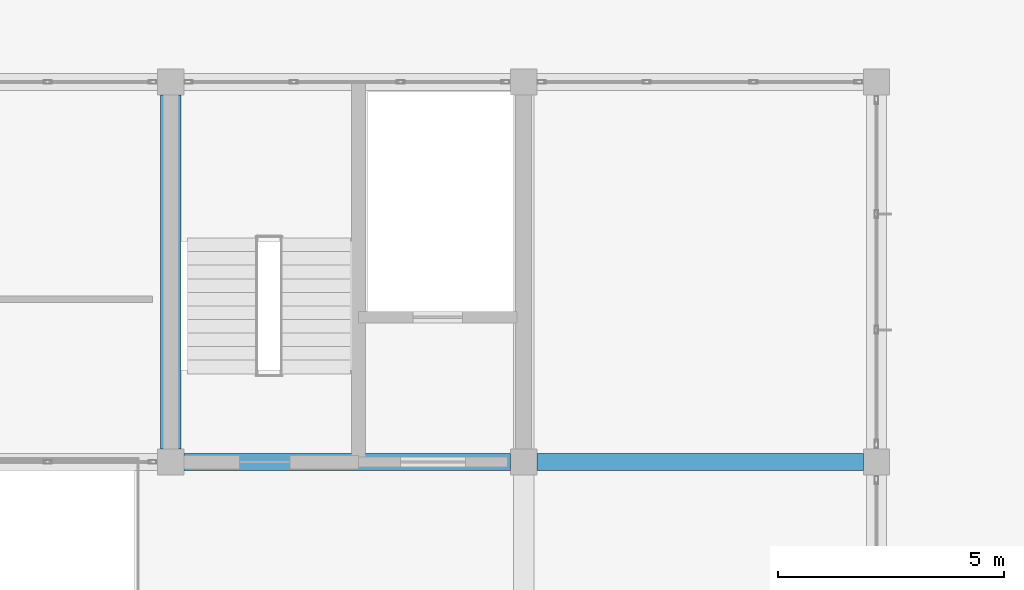
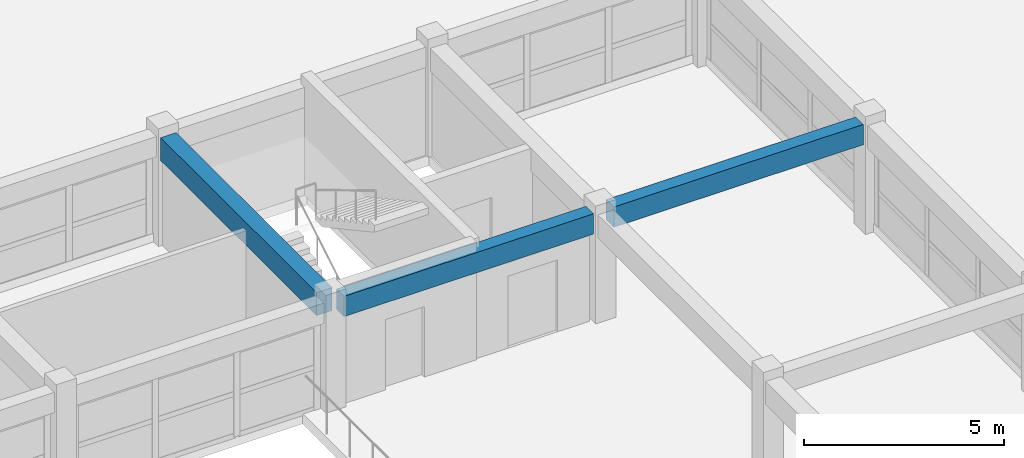
# One storey, part 72 of 101: 3 beams.
"""IFC4 building model written with IfcOpenShell, lengths in metres."""

from ifc_helpers import new_model, si_unit, direction, frame, origin, origin_2d, place, context, subcontext, project, spatial, rectangle, extrude, material, material_profile, profile_set, type_object, element, save


model = new_model("IFC4")

# Units and contexts
model_context = context("Model", 3, precision=1e-05, world=origin(), true_north=direction((0.0, 1.0)))
body_context = subcontext(model_context, "Body", "Model", "MODEL_VIEW")
ifc_project = project(units=[si_unit("LENGTHUNIT", "METRE"), si_unit("AREAUNIT", "SQUARE_METRE"), si_unit("VOLUMEUNIT", "CUBIC_METRE"), si_unit("PLANEANGLEUNIT", "RADIAN"), si_unit("MASSUNIT", "GRAM", prefix="KILO")], contexts=[model_context])

# Site, building, storey
site_placement = place(None, origin())
site = spatial("IfcSite", under=ifc_project, at=site_placement, CompositionType="ELEMENT")
building_placement = place(site_placement, origin())
building = spatial("IfcBuilding", under=site, at=building_placement, Name="Zizhar Promenade General Hospital", CompositionType="ELEMENT")
storey_placement = place(building_placement, frame((0.0, 0.0, 14.39990234375)))
storey = spatial("IfcBuildingStorey", under=building, at=storey_placement, Name="L03", CompositionType="ELEMENT", Elevation=14.39990234375)

# Beams
ifc_material_1 = material(Name="Concrete C35/45", Category="concrete")
ifc_material_profile_1 = material_profile(ifc_material_1, rectangle(XDim=0.3798828125, YDim=0.6201171875, at=origin_2d()))
ifc_profile_set_1 = profile_set([ifc_material_profile_1], Name="Concrete C35/45")
beam_type_1 = type_object("IfcBeamType", Name="BM-RC-380x620", PredefinedType="JOIST", material=ifc_profile_set_1)
beam_1_placement = place(storey_placement, frame((171.889892578125, 92.39990234375, 3.0), z_axis=(1.0, 0.0, 0.0), x_axis=(0.0, 1.0, 0.0)))
element("IfcBeam", 1, at=beam_1_placement, inside=storey, type_object=beam_type_1, Name="Grid Beam X L03 (22-11)", PredefinedType="JOIST", context=body_context, shape_type="SweptSolid", body=[
    extrude(rectangle(XDim=0.3798828125, YDim=0.6201171875, at=origin_2d()), origin(), (0.0, 0.0, 1.0), 7.22021484375),
])
beam_2_placement = place(storey_placement, frame((179.68994140625, 92.39990234375, 3.0), z_axis=(1.0, 0.0, 0.0), x_axis=(0.0, 1.0, 0.0)))
element("IfcBeam", 2, at=beam_2_placement, inside=storey, type_object=beam_type_1, Name="Grid Beam X L03 (23-11)", PredefinedType="JOIST", context=body_context, shape_type="SweptSolid", body=[
    extrude(rectangle(XDim=0.3798828125, YDim=0.6201171875, at=origin_2d()), origin(), (0.0, 0.0, 1.0), 7.219970703125),
])
ifc_material_2 = material(Name="Concrete C35/45", Category="concrete")
ifc_material_profile_2 = material_profile(ifc_material_2, rectangle(XDim=0.449951171875, YDim=0.699951171875, at=origin_2d()))
ifc_profile_set_2 = profile_set([ifc_material_profile_2], Name="Concrete C35/45")
beam_type_2 = type_object("IfcBeamType", Name="BM-RC-450x700", PredefinedType="BEAM", material=ifc_profile_set_2)
beam_3_placement = place(storey_placement, frame((171.60009765625, 92.68994140625, 2.960205078125), z_axis=(0.0, 1.0, 0.0), x_axis=(-1.0, 0.0, 0.0)))
element("IfcBeam", 3, at=beam_3_placement, inside=storey, type_object=beam_type_2, Name="Grid Beam Y L03 (22-11)", PredefinedType="BEAM", context=body_context, shape_type="SweptSolid", body=[
    extrude(rectangle(XDim=0.449951171875, YDim=0.699951171875, at=origin_2d()), origin(), (0.0, 0.0, 1.0), 7.820068359375),
])

save(model, "model.ifc")
